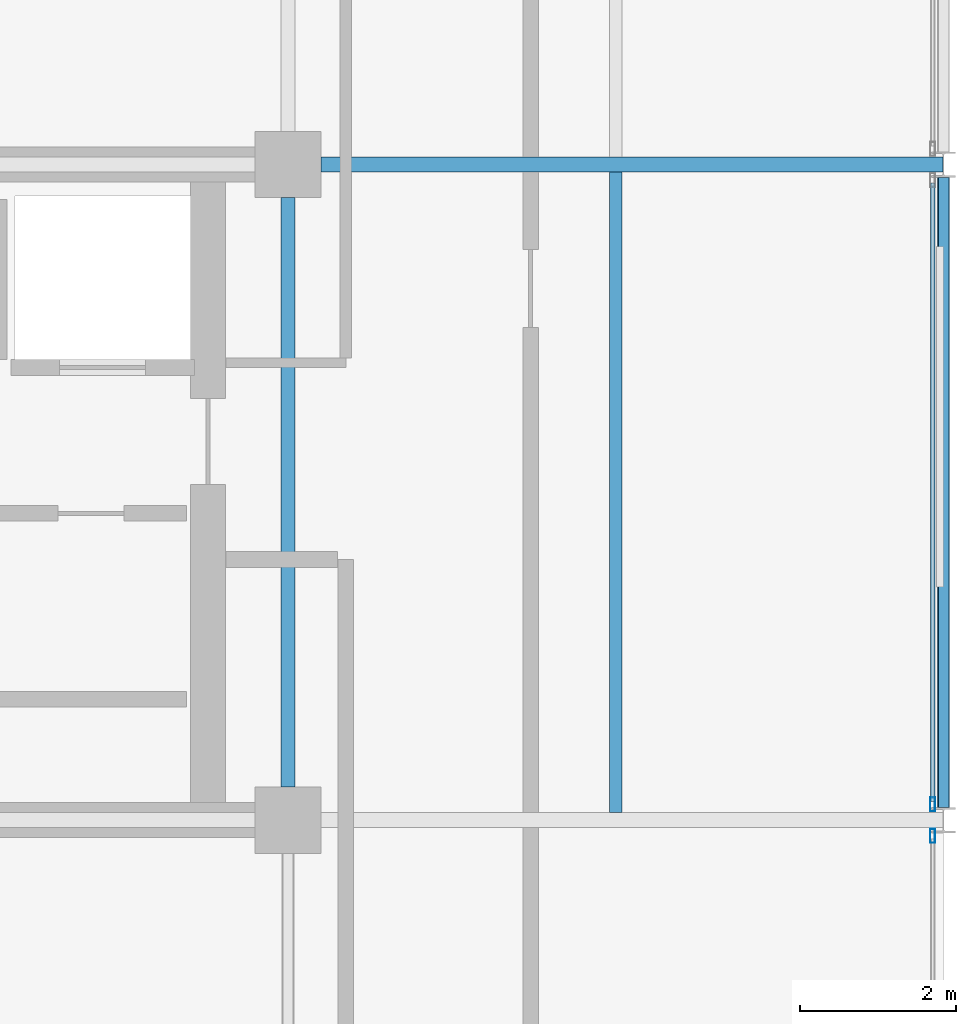
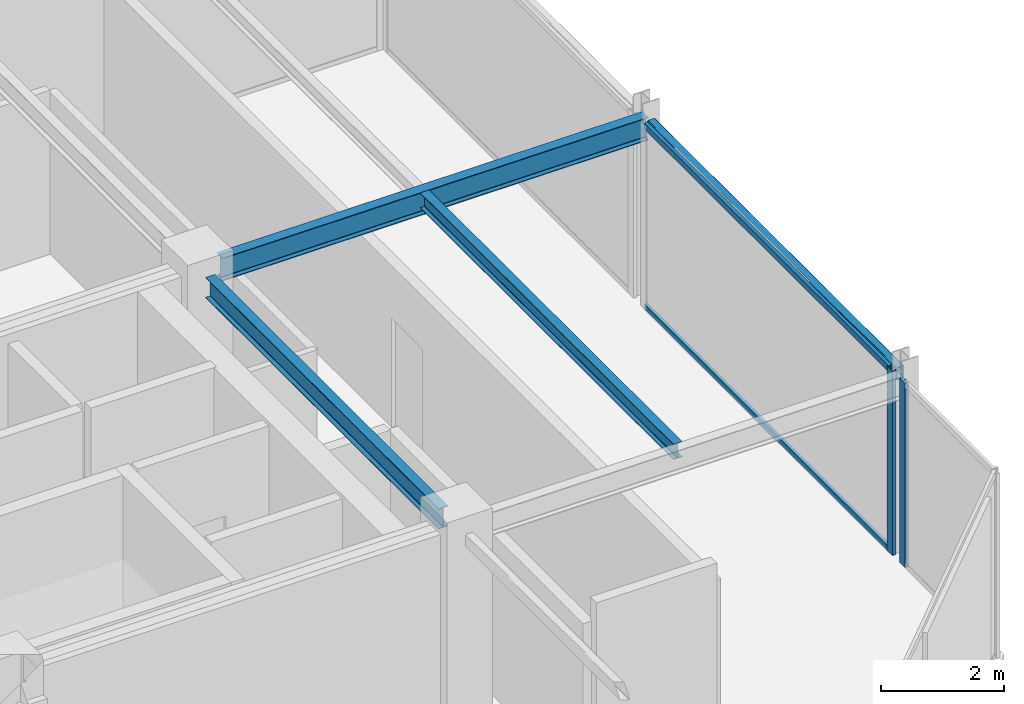
# One storey, part 15 of 26: 4 beams, 4 members, 2 elements without a shape of their own.
"""IFC4 building model written with IfcOpenShell, lengths in metres."""

from ifc_helpers import new_model, si_unit, direction, frame, origin, origin_2d, place, context, subcontext, project, spatial, hollow_rectangle, i_section, extrude, material, layer, layer_set, material_profile, profile_set, type_object, element, aggregate, save


model = new_model("IFC4")

# Units and contexts
model_context = context("Model", 3, precision=1e-05, world=origin(), true_north=direction((0.0, 1.0)))
body_context = subcontext(model_context, "Body", "Model", "MODEL_VIEW")
ifc_project = project(units=[si_unit("LENGTHUNIT", "METRE"), si_unit("AREAUNIT", "SQUARE_METRE"), si_unit("VOLUMEUNIT", "CUBIC_METRE"), si_unit("PLANEANGLEUNIT", "RADIAN"), si_unit("MASSUNIT", "GRAM", prefix="KILO")], contexts=[model_context])

# Site, building, storey
site_placement = place(None, origin())
site = spatial("IfcSite", under=ifc_project, at=site_placement, CompositionType="ELEMENT")
building_placement = place(site_placement, origin())
building = spatial("IfcBuilding", under=site, at=building_placement, Name="Nerrivon Quay Data Exchange", CompositionType="ELEMENT")
storey_placement = place(building_placement, frame((0.0, 0.0, 282.199951171875)))
storey = spatial("IfcBuildingStorey", under=building, at=storey_placement, Name="L67", CompositionType="ELEMENT", Elevation=282.199951171875)

# Beams
ifc_material_1 = material(Name="Steel Grade 350", Category="steel")
ifc_material_profile_1 = material_profile(ifc_material_1, i_section(OverallWidth=0.18994140625, OverallDepth=0.4541015625, WebThickness=0.008544921875, FlangeThickness=0.0126953125, FilletRadius=0.011474609375, at=origin_2d()), Name="460UB67.1")
ifc_profile_set_1 = profile_set([ifc_material_profile_1], Name="Steel Grade 350")
beam_type_1 = type_object("IfcBeamType", Name="BM-G6-460UB67", PredefinedType="BEAM", material=ifc_profile_set_1)
beam_1_placement = place(storey_placement, frame((34.02490234375, 16.800048828125, 3.423095703125), z_axis=(1.0, 0.0, 0.0), x_axis=(0.0, 1.0, 0.0)))
element("IfcBeam", 1, at=beam_1_placement, inside=storey, type_object=beam_type_1, Name="L67 EW Girder Y=16.8 (33.6..42.0)", PredefinedType="BEAM", context=body_context, shape_type="SweptSolid", body=[
    extrude(i_section(OverallWidth=0.18994140625, OverallDepth=0.4541015625, WebThickness=0.008544921875, FlangeThickness=0.0126953125, FilletRadius=0.011474609375, at=origin_2d()), origin(), (0.0, 0.0, 1.0), 7.96728515625),
])
ifc_material_profile_2 = material_profile(ifc_material_1, i_section(OverallWidth=0.177978515625, OverallDepth=0.406005859375, WebThickness=0.0078125, FlangeThickness=0.0126953125, FilletRadius=0.011474609375, at=origin_2d()), Name="410UB59.7")
ifc_profile_set_2 = profile_set([ifc_material_profile_2], Name="Steel Grade 350")
beam_type_2 = type_object("IfcBeamType", Name="BM-J1-410UB60", PredefinedType="JOIST", material=ifc_profile_set_2)
beam_2_placement = place(storey_placement, frame((33.60009765625, 8.824951171875, 3.447021484375), z_axis=(0.0, 1.0, 0.0), x_axis=(-1.0, 0.0, 0.0)))
element("IfcBeam", 2, at=beam_2_placement, inside=storey, type_object=beam_type_2, Name="L67 NS Girder X=33.6 (8.4..16.8)", PredefinedType="JOIST", context=body_context, shape_type="SweptSolid", body=[
    extrude(i_section(OverallWidth=0.177978515625, OverallDepth=0.406005859375, WebThickness=0.0078125, FlangeThickness=0.0126953125, FilletRadius=0.011474609375, at=origin_2d()), origin(), (0.0, 0.0, 1.0), 7.550048828125),
])
ifc_material_profile_3 = material_profile(ifc_material_1, i_section(OverallWidth=0.1650390625, OverallDepth=0.303955078125, WebThickness=0.006103515625, FlangeThickness=0.01025390625, FilletRadius=0.011474609375, at=origin_2d()), Name="310UB40.4")
ifc_profile_set_3 = profile_set([ifc_material_profile_3], Name="Steel Grade 350")
beam_type_3 = type_object("IfcBeamType", Name="BM-J6-310UB40", PredefinedType="JOIST", material=ifc_profile_set_3)
beam_3_placement = place(storey_placement, frame((37.800048828125, 8.4951171875, 3.498046875), z_axis=(0.0, 1.0, 0.0), x_axis=(-1.0, 0.0, 0.0)))
element("IfcBeam", 3, at=beam_3_placement, inside=storey, type_object=beam_type_3, Name="L67 Secondary Joist X=37.8 (8.4..16.8)", PredefinedType="JOIST", context=body_context, shape_type="SweptSolid", body=[
    extrude(i_section(OverallWidth=0.1650390625, OverallDepth=0.303955078125, WebThickness=0.006103515625, FlangeThickness=0.01025390625, FilletRadius=0.011474609375, at=origin_2d()), origin(), (0.0, 0.0, 1.0), 8.2099609375),
])
ifc_material_2 = material(Name="Steel Grade C350L0 (350 MPa)", Category="steel")
ifc_material_profile_4 = material_profile(ifc_material_2, hollow_rectangle(XDim=0.14990234375, YDim=0.25, WallThickness=0.009033203125, InnerFilletRadius=0.013427734375, OuterFilletRadius=0.0224609375, at=origin_2d()), Name="250x150x9.0RHS")
ifc_profile_set_4 = profile_set([ifc_material_profile_4], Name="Steel Grade C350L0 (350 MPa)")
beam_type_4 = type_object("IfcBeamType", Name="BM-SP4-250x150RHS", PredefinedType="SPANDREL", material=ifc_profile_set_4)
beam_4_placement = place(storey_placement, frame((42.0, 8.5634765625, 3.525146484375), z_axis=(0.0, 1.0, 0.0), x_axis=(-1.0, 0.0, 0.0)))
element("IfcBeam", 4, at=beam_4_placement, inside=storey, type_object=beam_type_4, Name="L67 NS Girder X=42.0 (8.4..16.8)", PredefinedType="SPANDREL", context=body_context, shape_type="SweptSolid", body=[
    extrude(hollow_rectangle(XDim=0.14990234375, YDim=0.25, WallThickness=0.009033203125, InnerFilletRadius=0.013427734375, OuterFilletRadius=0.0224609375, at=origin_2d()), origin(), (0.0, 0.0, 1.0), 8.072998046875),
])

# Curtain wall, member
ifc_material_3 = material(Name="Anodised aluminium 6063-T6", Category="aluminium")
ifc_layer = layer(ifc_material_3, 0.195068359375)
ifc_layer_set = layer_set([ifc_layer], Name="Anodised aluminium 6063-T6")
curtain_wall_type = type_object("IfcCurtainWallType", Name="CW-SYS-06", PredefinedType="NOTDEFINED", material=ifc_layer_set)
curtain_wall_1_placement = place(storey_placement, origin())
curtain_wall_1 = element("IfcCurtainWall", 5, at=curtain_wall_1_placement, inside=storey, type_object=curtain_wall_type, Name="L67 Unitised Curtain Wall 27", PredefinedType="NOTDEFINED")
ifc_material_profile_5 = material_profile(ifc_material_3, hollow_rectangle(XDim=0.06494140625, YDim=0.179931640625, WallThickness=0.00341796875, at=origin_2d()), Name="ALU-MULL-180x65")
ifc_profile_set_5 = profile_set([ifc_material_profile_5], Name="Anodised aluminium 6063-T6")
member_type_1 = type_object("IfcMemberType", Name="CWM-180x65", PredefinedType="MULLION", material=ifc_profile_set_5)
member_1_placement = place(storey_placement, frame((41.860107421875, 8.60107421875, 0.0), z_axis=(0.0, 0.0, 1.0), x_axis=(1.0, 0.0, 0.0)))
member_1 = element("IfcMember", 6, at=member_1_placement, type_object=member_type_1, Name="CW06 mullion 2", PredefinedType="MULLION", context=body_context, shape_type="SweptSolid", body=[
    extrude(hollow_rectangle(XDim=0.06494140625, YDim=0.179931640625, WallThickness=0.00341796875, at=origin_2d()), origin(), (0.0, 0.0, 1.0), 3.650146484375),
])

curtain_wall_2_placement = place(storey_placement, origin())
curtain_wall_2 = element("IfcCurtainWall", 7, at=curtain_wall_2_placement, inside=storey, type_object=curtain_wall_type, Name="L67 Unitised Curtain Wall 28", PredefinedType="NOTDEFINED")
member_2_placement = place(storey_placement, frame((41.860107421875, 8.198974609375, 0.0), z_axis=(0.0, 0.0, 1.0), x_axis=(1.0, 0.0, 0.0)))
member_2 = element("IfcMember", 8, at=member_2_placement, type_object=member_type_1, Name="CW06 mullion 1", PredefinedType="MULLION", context=body_context, shape_type="SweptSolid", body=[
    extrude(hollow_rectangle(XDim=0.06494140625, YDim=0.179931640625, WallThickness=0.00341796875, at=origin_2d()), origin(), (0.0, 0.0, 1.0), 3.650146484375),
])
aggregate(curtain_wall_2, [member_2])

# Member
ifc_material_profile_6 = material_profile(ifc_material_3, hollow_rectangle(XDim=0.06005859375, YDim=0.1201171875, WallThickness=0.003173828125, at=origin_2d()), Name="ALU-TRAN-120x60")
ifc_profile_set_6 = profile_set([ifc_material_profile_6], Name="Anodised aluminium 6063-T6")
member_type_2 = type_object("IfcMemberType", Name="CWT-120x60", PredefinedType="USERDEFINED", material=ifc_profile_set_6)
member_3_placement = place(storey_placement, frame((41.860107421875, 16.5615234375, 0.032470703125), z_axis=(0.0, -1.0, 0.0), x_axis=(1.0, 0.0, 0.0)))
member_3 = element("IfcMember", 9, at=member_3_placement, type_object=member_type_2, Name="CW06 transom 1.1", ObjectType="TRANSOM", PredefinedType="USERDEFINED", context=body_context, shape_type="SweptSolid", body=[
    extrude(hollow_rectangle(XDim=0.06005859375, YDim=0.1201171875, WallThickness=0.003173828125, at=origin_2d()), origin(), (0.0, 0.0, 1.0), 7.923095703125),
])

member_4_placement = place(storey_placement, frame((41.860107421875, 16.5615234375, 3.617431640625), z_axis=(0.0, -1.0, 0.0), x_axis=(1.0, 0.0, 0.0)))
member_4 = element("IfcMember", 10, at=member_4_placement, type_object=member_type_2, Name="CW06 transom 1.2", ObjectType="TRANSOM", PredefinedType="USERDEFINED", context=body_context, shape_type="SweptSolid", body=[
    extrude(hollow_rectangle(XDim=0.06005859375, YDim=0.1201171875, WallThickness=0.003173828125, at=origin_2d()), origin(), (0.0, 0.0, 1.0), 7.923095703125),
])

aggregate(curtain_wall_1, [member_1, member_3, member_4])

save(model, "model.ifc")
